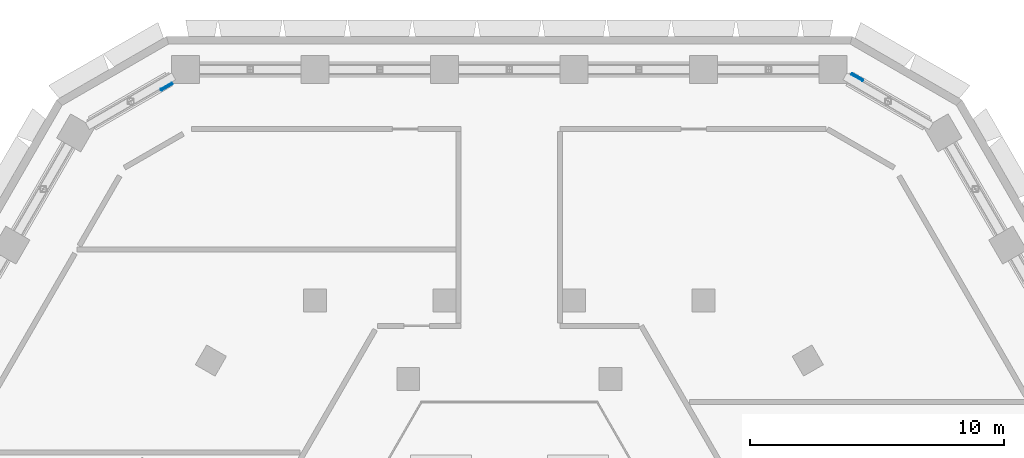
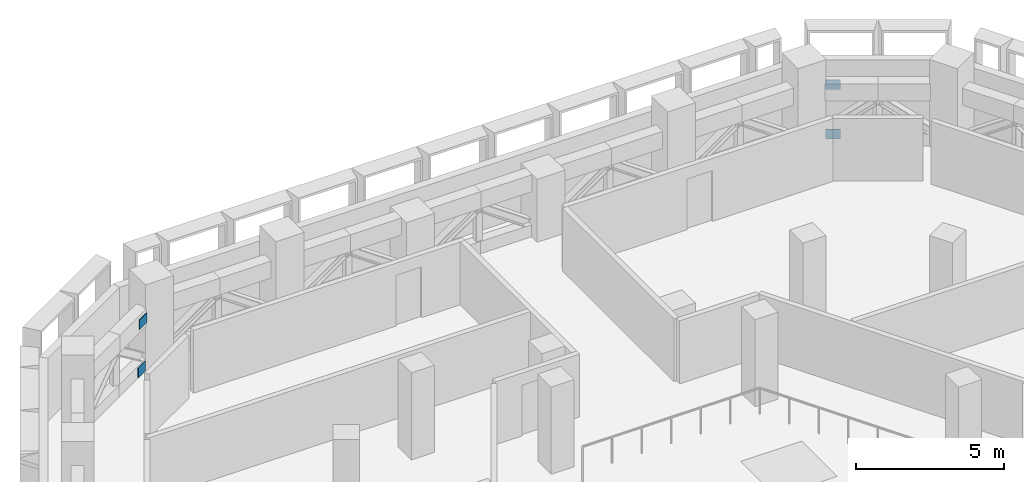
# One storey, part 15 of 22: 4 discrete accessories.
"""IFC4 building model written with IfcOpenShell, lengths in metres."""

from ifc_helpers import new_model, si_unit, direction, frame, origin, origin_2d, place, context, subcontext, project, spatial, rectangle, extrude, material, type_object, element, save


model = new_model("IFC4")

# Units and contexts
model_context = context("Model", 3, precision=1e-05, world=origin(), true_north=direction((0.0, 1.0)))
body_context = subcontext(model_context, "Body", "Model", "MODEL_VIEW")
ifc_project = project(units=[si_unit("LENGTHUNIT", "METRE"), si_unit("AREAUNIT", "SQUARE_METRE"), si_unit("VOLUMEUNIT", "CUBIC_METRE"), si_unit("PLANEANGLEUNIT", "RADIAN"), si_unit("MASSUNIT", "GRAM", prefix="KILO")], contexts=[model_context])

# Site, building, storey
site_placement = place(None, origin())
site = spatial("IfcSite", under=ifc_project, at=site_placement, CompositionType="ELEMENT")
building_placement = place(site_placement, origin())
building = spatial("IfcBuilding", under=site, at=building_placement, Name="Beryl Residences", CompositionType="ELEMENT")
storey_placement = place(building_placement, frame((0.0, 0.0, 62.39990234375)))
storey = spatial("IfcBuildingStorey", under=building, at=storey_placement, Name="L19", CompositionType="ELEMENT", Elevation=62.39990234375)

# Discrete accessories
ifc_material = material(Name="Steel S355", Category="steel")
discrete_accessory_type = type_object("IfcDiscreteAccessoryType", Name="GP1 chord end gusset plate 500 x 400 x 25 mm", PredefinedType="BRACKET", material=ifc_material)
for number, where, z_axis, x_axis, name in (
    (1, (-13.4951171875, 26.402099609375, 2.050048828125), (0.0, 0.0, 1.0), (-0.865968675011, -0.500098244248, 0.0), "GP1 gusset plate L19 Ta N-5"),
    (2, (-13.52001953125, 26.445068359375, 0.050048828125), (0.0, 0.0, 1.0), (-0.865968675011, -0.500098244248, 0.0), "GP1 gusset plate L19 Ba N-5"),
    (3, (13.73095703125, 26.81298828125, 2.050048828125), (0.0, 0.0, 1.0), (0.866105677765, -0.499860935604, 0.0), "GP1 gusset plate L19 Tb NE-5"),
    (4, (13.7060546875, 26.77001953125, 0.050048828125), (0.0, 0.0, 1.0), (0.866105677765, -0.499860935604, 0.0), "GP1 gusset plate L19 Bb NE-5"),
):
    element("IfcDiscreteAccessory", number, at=place(storey_placement, frame(where, z_axis=z_axis, x_axis=x_axis)), inside=storey, type_object=discrete_accessory_type, Name=name, PredefinedType="BRACKET", context=body_context, shape_type="SweptSolid", body=[
        extrude(rectangle(XDim=0.5, YDim=0.02490234375, at=origin_2d()), origin(), (0.0, 0.0, 1.0), 0.39990234375),
    ])

save(model, "model.ifc")
